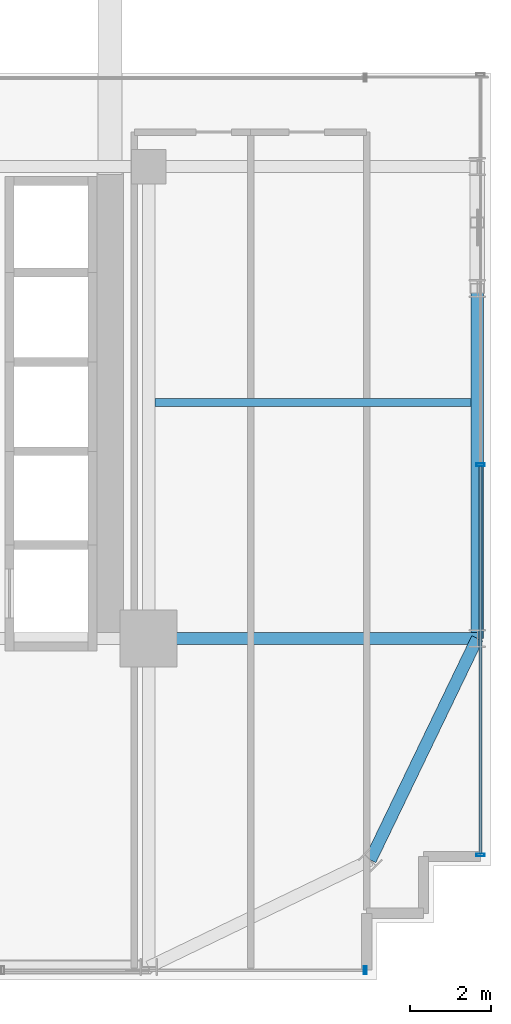
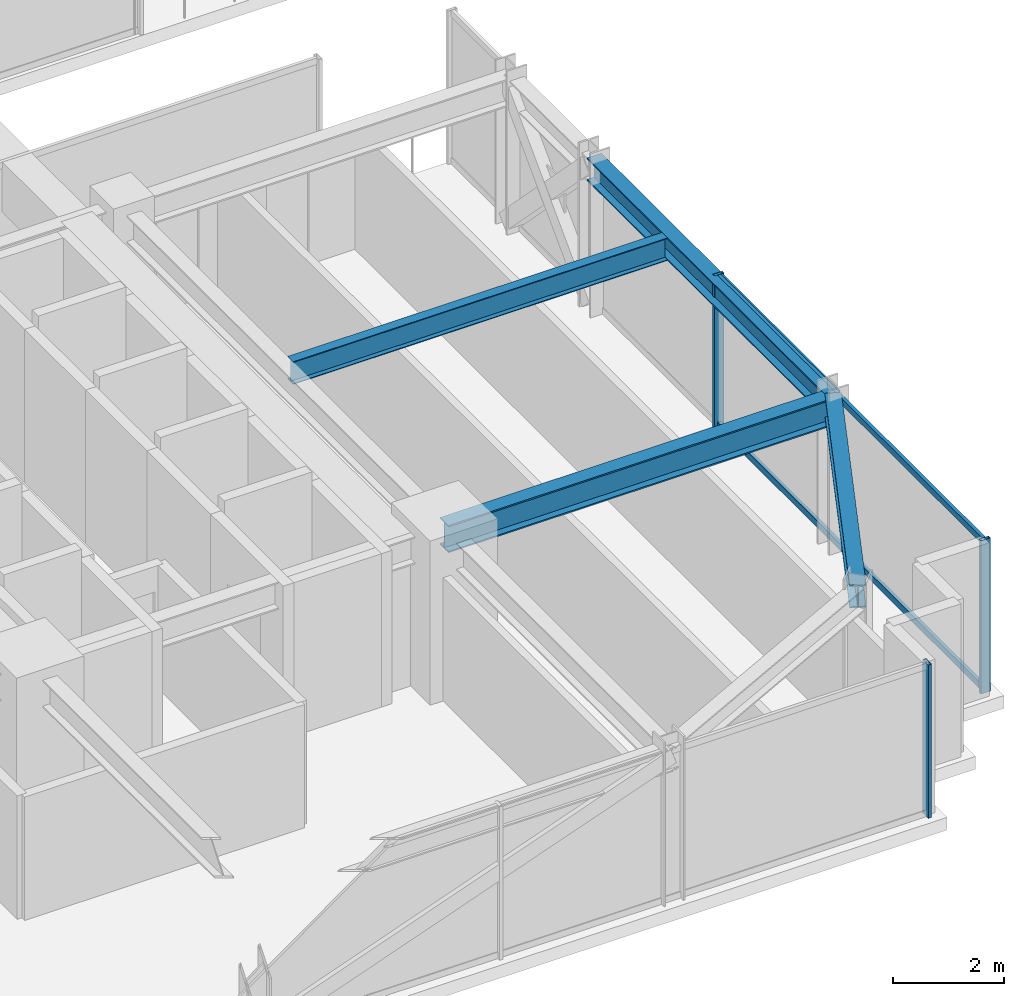
# One storey, part 17 of 42: 5 members, 4 beams, 2 elements without a shape of their own.
"""IFC4 building model written with IfcOpenShell, lengths in metres."""

import ifcopenshell
import ifcopenshell.guid

model = None  # the IFC model being written
_history = None  # IfcOwnerHistory: only IFC2X3 demands one
_inside = {}  # id of a spatial element -> (the spatial element, [elements in it])
_under = {}  # id of a project, library or spatial element -> (it, [spatial elements below it])
_declared = {}  # id of a project -> (the project, [libraries it declares])
_typed = {}  # id of a type object -> (the type object, [elements of that type])
_made_of = {}  # id of a material, layer set ... -> (it, [elements and type objects made of it])


def new_model(schema):
    """Start an empty IFC model of exactly this schema.

    Asked for "IFC4X3", IfcOpenShell would pick the latest addendum, in which some entities
    have other attributes; the version numbers below select the first issue.
    IFC2X3 requires an IfcOwnerHistory on every rooted entity: one is made here for all.
    """
    global model, _history
    if schema == "IFC4X3":
        model = ifcopenshell.file(schema_version=(4, 3, 0, 0))
    else:
        model = ifcopenshell.file(schema=schema)
    _inside.clear()
    _under.clear()
    _declared.clear()
    _typed.clear()
    _made_of.clear()
    _history = None
    if model.schema == "IFC2X3":
        org = make("IfcOrganization", Name="unknown")
        user = make(
            "IfcPersonAndOrganization",
            ThePerson=make("IfcPerson", FamilyName="unknown"),
            TheOrganization=org,
        )
        app = make(
            "IfcApplication",
            ApplicationDeveloper=org,
            Version="unknown",
            ApplicationFullName="unknown",
            ApplicationIdentifier="unknown",
        )
        _history = make(
            "IfcOwnerHistory",
            OwningUser=user,
            OwningApplication=app,
            ChangeAction="ADDED",
            CreationDate=0,
        )
    return model


def make(cls, **values):
    """One entity of the class cls with the attributes given. An attribute that is None is left unset."""
    return model.create_entity(
        cls, **{name: value for name, value in values.items() if value is not None}
    )


def rooted(cls, **values):
    """An entity with a GlobalId (a new one), such as an element, a storey or a relation."""
    return make(cls, GlobalId=ifcopenshell.guid.new(), OwnerHistory=_history, **values)


def si_unit(unit_type, name, prefix=None):
    """IfcSIUnit, for example si_unit("LENGTHUNIT", "METRE", prefix="MILLI")."""
    return make("IfcSIUnit", UnitType=unit_type, Prefix=prefix, Name=name)


def assignment(units):
    """IfcUnitAssignment: the units of a project."""
    return None if units is None else make("IfcUnitAssignment", Units=units)


def point(xyz):
    """IfcCartesianPoint."""
    return None if xyz is None else make("IfcCartesianPoint", Coordinates=xyz)


def direction(xyz):
    """IfcDirection."""
    return None if xyz is None else make("IfcDirection", DirectionRatios=xyz)


def frame(location, z_axis=None, x_axis=None):
    """IfcAxis2Placement3D, a coordinate frame: its origin and axes. An axis left out is left unset."""
    return make(
        "IfcAxis2Placement3D",
        Location=point(location),
        Axis=direction(z_axis),
        RefDirection=direction(x_axis),
    )


def frame_2d(location, x_axis=None):
    """IfcAxis2Placement2D, a coordinate frame in the plane: its origin and x axis."""
    return make(
        "IfcAxis2Placement2D", Location=point(location), RefDirection=direction(x_axis)
    )


def origin():
    """The frame at (0, 0, 0) with its axes left unset."""
    return frame((0.0, 0.0, 0.0))


def origin_2d():
    """The frame at (0, 0) in the plane with its x axis left unset."""
    return frame_2d((0.0, 0.0))


def place(relative_to, where):
    """IfcLocalPlacement: puts the frame where relative to a parent placement (None: the world)."""
    return make(
        "IfcLocalPlacement", PlacementRelTo=relative_to, RelativePlacement=where
    )


def context(
    kind, dimensions, precision=None, world=None, true_north=None, identifier=None
):
    """IfcGeometricRepresentationContext, for example the 3D "Model" context."""
    return make(
        "IfcGeometricRepresentationContext",
        ContextIdentifier=identifier,
        ContextType=kind,
        CoordinateSpaceDimension=dimensions,
        Precision=precision,
        WorldCoordinateSystem=world,
        TrueNorth=true_north,
    )


def subcontext(parent, identifier, kind, view, scale=None):
    """IfcGeometricRepresentationSubContext, for example "Body" below "Model"."""
    return make(
        "IfcGeometricRepresentationSubContext",
        ContextIdentifier=identifier,
        ContextType=kind,
        ParentContext=parent,
        TargetScale=scale,
        TargetView=view,
    )


def project(units=None, contexts=None):
    """IfcProject with its units and contexts."""
    return rooted(
        "IfcProject",
        Name="project",
        RepresentationContexts=contexts,
        UnitsInContext=assignment(units),
    )


def spatial(cls, under=None, at=None, **own):
    """A site, building, storey or space (cls), placed at a placement, below another one or the project."""
    s = rooted(cls, ObjectPlacement=at, **own)
    if under is not None:
        _under.setdefault(under.id(), (under, []))[1].append(s)
    return s


def profile(cls, at=None, kind="AREA", **sizes):
    """A parametric profile (cls). Its sizes go by their IFC names, for example OverallWidth=200.0."""
    return make(cls, ProfileType=kind, Position=at, **sizes)


def hollow_rectangle(**sizes):
    """IfcRectangleHollowProfileDef."""
    return profile("IfcRectangleHollowProfileDef", **sizes)


def i_section(**sizes):
    """IfcIShapeProfileDef."""
    return profile("IfcIShapeProfileDef", **sizes)


def extrude(swept, where, along, depth):
    """IfcExtrudedAreaSolid: the profile swept, set in the frame where, extruded along a direction by depth."""
    return make(
        "IfcExtrudedAreaSolid",
        SweptArea=swept,
        Position=where,
        ExtrudedDirection=direction(along),
        Depth=depth,
    )


def shape(context_of_items, identifier, shape_type, items):
    """IfcShapeRepresentation: the items that make up one representation, for example the "Body"."""
    return make(
        "IfcShapeRepresentation",
        ContextOfItems=context_of_items,
        RepresentationIdentifier=identifier,
        RepresentationType=shape_type,
        Items=items,
    )


def source(mapping_origin, context_of_items, identifier, shape_type, items):
    """IfcRepresentationMap: a shape defined once, which mapped items show again and again."""
    return make(
        "IfcRepresentationMap",
        MappingOrigin=mapping_origin,
        MappedRepresentation=shape(context_of_items, identifier, shape_type, items),
    )


def transform(
    local_origin,
    x_axis=None,
    y_axis=None,
    z_axis=None,
    scale=None,
    scale2=None,
    scale3=None,
    uniform=True,
):
    """IfcCartesianTransformationOperator3D, or its non-uniform kind. x_axis, y_axis, z_axis: its Axis1, 2, 3."""
    if uniform:
        return make(
            "IfcCartesianTransformationOperator3D",
            Axis1=direction(x_axis),
            Axis2=direction(y_axis),
            LocalOrigin=point(local_origin),
            Scale=scale,
            Axis3=direction(z_axis),
        )
    return make(
        "IfcCartesianTransformationOperator3DnonUniform",
        Axis1=direction(x_axis),
        Axis2=direction(y_axis),
        LocalOrigin=point(local_origin),
        Scale=scale,
        Axis3=direction(z_axis),
        Scale2=scale2,
        Scale3=scale3,
    )


def mapped(mapping_source, mapping_target):
    """IfcMappedItem: shows the shape of a source again, moved by a transform."""
    return make(
        "IfcMappedItem", MappingSource=mapping_source, MappingTarget=mapping_target
    )


def material(Name=None, Category=None):
    """IfcMaterial."""
    return make("IfcMaterial", Name=Name, Category=Category)


def material_profile(
    of_material, cross_section, Name=None, Category=None, Priority=None
):
    """IfcMaterialProfile: a cross section and its material."""
    return make(
        "IfcMaterialProfile",
        Name=Name,
        Material=of_material,
        Profile=cross_section,
        Priority=Priority,
        Category=Category,
    )


def profile_set(profiles, Name=None, composite=None):
    """IfcMaterialProfileSet."""
    return make(
        "IfcMaterialProfileSet",
        Name=Name,
        MaterialProfiles=profiles,
        CompositeProfile=composite,
    )


def made_of(thing, what):
    """Note that an element or type object is made of a material, layer set ...; save() writes the relation."""
    if what is not None:
        _made_of.setdefault(what.id(), (what, []))[1].append(thing)
    return thing


def type_object(cls, material=None, **own):
    """A type object (cls), such as IfcWallType, which elements share."""
    return made_of(rooted(cls, **own), material)


def element(
    cls,
    number,
    at=None,
    inside=None,
    cuts=None,
    type_object=None,
    material=None,
    context=None,
    identifier="Body",
    shape_type=None,
    held_by="IfcProductDefinitionShape",
    body=None,
    shapes=None,
    **own,
):
    """One element of the class cls, such as IfcWall. Its Tag is "e" and its number.

    at: its placement. inside: the storey or other place that contains it. cuts: it is an
    opening in that element (IfcRelVoidsElement). A single representation is given by context,
    identifier, shape_type and body (its items); several are given by shapes. held_by: the class
    of the entity that holds the representations. save() writes the other relations.
    """
    e = rooted(cls, Tag="e%d" % number, ObjectPlacement=at, **own)
    if body is not None:
        shapes = [shape(context, identifier, shape_type, body)]
    if shapes is not None:
        e.Representation = make(held_by, Representations=shapes)
    if inside is not None:
        _inside.setdefault(inside.id(), (inside, []))[1].append(e)
    if cuts is not None:
        rooted(
            "IfcRelVoidsElement", RelatingBuildingElement=cuts, RelatedOpeningElement=e
        )
    if type_object is not None:
        _typed.setdefault(type_object.id(), (type_object, []))[1].append(e)
    return made_of(e, material)


def aggregate(whole, parts):
    """IfcRelAggregates: a whole, such as a stair, and the parts it consists of."""
    return rooted("IfcRelAggregates", RelatingObject=whole, RelatedObjects=parts)


def save(model, path):
    """Write the relations noted so far, then the file.

    IfcRelAggregates (storeys below a building ...), IfcRelContainedInSpatialStructure (elements
    in a storey), IfcRelDefinesByType, IfcRelAssociatesMaterial and IfcRelDeclares: one each for
    every whole, place, type object, material and project.
    """
    for whole, parts in _under.values():
        aggregate(whole, parts)
    for where, things in _inside.values():
        rooted(
            "IfcRelContainedInSpatialStructure",
            RelatedElements=things,
            RelatingStructure=where,
        )
    for kind, things in _typed.values():
        rooted("IfcRelDefinesByType", RelatedObjects=things, RelatingType=kind)
    for what, things in _made_of.values():
        rooted("IfcRelAssociatesMaterial", RelatedObjects=things, RelatingMaterial=what)
    for by, libraries in _declared.values():
        rooted("IfcRelDeclares", RelatingContext=by, RelatedDefinitions=libraries)
    model.write(path)


model = new_model("IFC4")

# Units and contexts
model_context = context("Model", 3, precision=1e-05, world=origin(), true_north=direction((0.0, 1.0)))
body_context = subcontext(model_context, "Body", "Model", "MODEL_VIEW")
ifc_project = project(units=[si_unit("LENGTHUNIT", "METRE"), si_unit("AREAUNIT", "SQUARE_METRE"), si_unit("VOLUMEUNIT", "CUBIC_METRE"), si_unit("PLANEANGLEUNIT", "RADIAN"), si_unit("MASSUNIT", "GRAM", prefix="KILO")], contexts=[model_context])

# Site, building, storey
site_placement = place(None, origin())
site = spatial("IfcSite", under=ifc_project, at=site_placement, CompositionType="ELEMENT")
building_placement = place(site_placement, origin())
building = spatial("IfcBuilding", under=site, at=building_placement, Name="Nahalor Promenade Grand Hotel", CompositionType="ELEMENT")
storey_placement = place(building_placement, frame((0.0, 0.0, 61.60009765625)))
storey = spatial("IfcBuildingStorey", under=building, at=storey_placement, Name="L14", CompositionType="ELEMENT", Elevation=61.60009765625)

# Beams
ifc_material_1 = material(Name="Steel S355JR", Category="steel")
ifc_material_profile_1 = material_profile(ifc_material_1, i_section(OverallWidth=0.3, OverallDepth=0.5, WebThickness=0.0145, FlangeThickness=0.028, at=origin_2d()), Name="HEB 500")
ifc_profile_set_1 = profile_set([ifc_material_profile_1], Name="Steel S355JR")
beam_type_1 = type_object("IfcBeamType", Name="Beam-Spandrel-HEB500", PredefinedType="SPANDREL", material=ifc_profile_set_1)
shared_shape_1 = source(origin(), body_context, "Body", "SweptSolid", [
    extrude(i_section(OverallWidth=0.3, OverallDepth=0.5, WebThickness=0.0145, FlangeThickness=0.028, at=origin_2d()), origin(), (0.0, 0.0, 1.0), 8.60009765625),
])
beam_1_placement = place(storey_placement, frame((25.080078125, -17.0, 3.119873046875), z_axis=(0.0, 1.0, 0.0), x_axis=(-1.0, 0.0, 0.0)))
element("IfcBeam", 1, at=beam_1_placement, inside=storey, type_object=beam_type_1, Name="BM-L14-SP-E-0", PredefinedType="SPANDREL", context=body_context, shape_type="MappedRepresentation", body=[
    mapped(shared_shape_1, transform((0.0, 0.0, 0.0), scale=1.0)),
])
ifc_material_profile_2 = material_profile(ifc_material_1, i_section(OverallWidth=0.3, OverallDepth=0.6, WebThickness=0.0155, FlangeThickness=0.03, at=origin_2d()), Name="HEB 600")
ifc_profile_set_2 = profile_set([ifc_material_profile_2], Name="Steel S355JR")
beam_type_2 = type_object("IfcBeamType", Name="Beam-Girder-HEB600", PredefinedType="BEAM", material=ifc_profile_set_2)
shared_shape_2 = source(origin(), body_context, "Body", "SweptSolid", [
    extrude(i_section(OverallWidth=0.3, OverallDepth=0.6, WebThickness=0.0155, FlangeThickness=0.03, at=origin_2d()), origin(), (0.0, 0.0, 1.0), 8.080078125),
])
beam_2_placement = place(storey_placement, frame((17.0, -17.0, 3.06982421875), z_axis=(1.0, 0.0, 0.0), x_axis=(0.0, 1.0, 0.0)))
element("IfcBeam", 2, at=beam_2_placement, inside=storey, type_object=beam_type_2, Name="BM-L14-GX-0-6", PredefinedType="BEAM", context=body_context, shape_type="MappedRepresentation", body=[
    mapped(shared_shape_2, transform((0.0, 0.0, 0.0), scale=1.0)),
])
shared_shape_3 = source(origin(), body_context, "Body", "SweptSolid", [
    extrude(i_section(OverallWidth=0.3, OverallDepth=0.5, WebThickness=0.0145, FlangeThickness=0.028, at=origin_2d()), origin(), (0.0, 0.0, 1.0), 6.051513671875),
])
beam_3_placement = place(storey_placement, frame((22.449951171875, -22.449951171875, 3.119873046875), z_axis=(0.434630596492, 0.900608818852, 0.0), x_axis=(-0.900608818852, 0.434630596492, 0.0)))
element("IfcBeam", 3, at=beam_3_placement, inside=storey, type_object=beam_type_1, Name="BM-L14-SPC-SE-2", PredefinedType="SPANDREL", context=body_context, shape_type="MappedRepresentation", body=[
    mapped(shared_shape_3, transform((0.0, 0.0, 0.0), scale=1.0)),
])
ifc_material_profile_3 = material_profile(ifc_material_1, i_section(OverallWidth=0.2, OverallDepth=0.5, WebThickness=0.0102, FlangeThickness=0.016, at=origin_2d()), Name="IPE 500")
ifc_profile_set_3 = profile_set([ifc_material_profile_3], Name="Steel S355JR")
beam_type_3 = type_object("IfcBeamType", Name="Beam-Joist-IPE500", PredefinedType="JOIST", material=ifc_profile_set_3)
shared_shape_4 = source(origin(), body_context, "Body", "SweptSolid", [
    extrude(i_section(OverallWidth=0.2, OverallDepth=0.5, WebThickness=0.0102, FlangeThickness=0.016, at=origin_2d()), origin(), (0.0, 0.0, 1.0), 7.780029296875),
])
beam_4_placement = place(storey_placement, frame((17.14990234375, -11.199951171875, 3.119873046875), z_axis=(1.0, 0.0, 0.0), x_axis=(0.0, 1.0, 0.0)))
element("IfcBeam", 4, at=beam_4_placement, inside=storey, type_object=beam_type_3, Name="BM-L14-JSE-0-2", PredefinedType="JOIST", context=body_context, shape_type="MappedRepresentation", body=[
    mapped(shared_shape_4, transform((0.0, 0.0, 0.0), scale=1.0)),
])

# Curtain wall, member
ifc_material_2 = material(Name="Anodised Bronze Aluminium EN AW-6063 T6", Category="aluminium")
curtain_wall_type = type_object("IfcCurtainWallType", Name="CW3 Elliptical-Void Collar Unitised Curtain Wall", PredefinedType="USERDEFINED", material=ifc_material_2)
curtain_wall_1_placement = place(storey_placement, origin())
curtain_wall_1 = element("IfcCurtainWall", 5, at=curtain_wall_1_placement, inside=storey, type_object=curtain_wall_type, Name="L14 Curtain Wall CW-L14-S-1", ObjectType="UNITISED_CURTAIN_WALL", PredefinedType="USERDEFINED")
ifc_material_profile_4 = material_profile(ifc_material_2, hollow_rectangle(XDim=0.07, YDim=0.2, WallThickness=0.005, at=origin_2d()), Name="CWM 70x200x5")
ifc_profile_set_4 = profile_set([ifc_material_profile_4], Name="Anodised Bronze Aluminium EN AW-6063 T6")
member_type_1 = type_object("IfcMemberType", Name="CWM3 Void Collar Mullion 70x200", PredefinedType="MULLION", material=ifc_profile_set_4)
shared_shape_5 = source(origin(), body_context, "Body", "SweptSolid", [
    extrude(hollow_rectangle(XDim=0.07, YDim=0.2, WallThickness=0.005, at=origin_2d()), origin(), (0.0, 0.0, 1.0), 3.369873046875),
])
member_1_placement = place(storey_placement, frame((22.324951171875, -25.159912109375, 0.0), z_axis=(0.0, 0.0, 1.0), x_axis=(1.0, 0.0, 0.0)))
member_1 = element("IfcMember", 6, at=member_1_placement, type_object=member_type_1, Name="CW-L14-S-1 Mullion 5", PredefinedType="MULLION", context=body_context, shape_type="MappedRepresentation", body=[
    mapped(shared_shape_5, transform((0.0, 0.0, 0.0), scale=1.0)),
])
aggregate(curtain_wall_1, [member_1])

# Curtain wall, members
curtain_wall_2_placement = place(storey_placement, origin())
curtain_wall_2 = element("IfcCurtainWall", 7, at=curtain_wall_2_placement, inside=storey, type_object=curtain_wall_type, Name="L14 Curtain Wall CW-L14-E-1", ObjectType="UNITISED_CURTAIN_WALL", PredefinedType="USERDEFINED")
member_2_placement = place(storey_placement, frame((25.159912109375, -22.324951171875, 0.0), z_axis=(0.0, 0.0, 1.0), x_axis=(0.0, 1.0, 0.0)))
member_2 = element("IfcMember", 8, at=member_2_placement, type_object=member_type_1, Name="CW-L14-E-1 Mullion 0", PredefinedType="MULLION", context=body_context, shape_type="MappedRepresentation", body=[
    mapped(shared_shape_5, transform((0.0, 0.0, 0.0), scale=1.0)),
])
member_3_placement = place(storey_placement, frame((25.159912109375, -12.72998046875, 0.0), z_axis=(0.0, 0.0, 1.0), x_axis=(0.0, 1.0, 0.0)))
member_3 = element("IfcMember", 9, at=member_3_placement, type_object=member_type_1, Name="CW-L14-E-1 Mullion 1", PredefinedType="MULLION", context=body_context, shape_type="MappedRepresentation", body=[
    mapped(shared_shape_5, transform((0.0, 0.0, 0.0), scale=1.0)),
])
ifc_material_profile_5 = material_profile(ifc_material_2, hollow_rectangle(XDim=0.07, YDim=0.14, WallThickness=0.004, at=origin_2d()), Name="CWT 70x140x4")
ifc_profile_set_5 = profile_set([ifc_material_profile_5], Name="Anodised Bronze Aluminium EN AW-6063 T6")
member_type_2 = type_object("IfcMemberType", Name="CWT3 Void Collar Transom 70x140", PredefinedType="USERDEFINED", material=ifc_profile_set_5)
shared_shape_6 = source(origin(), body_context, "Body", "SweptSolid", [
    extrude(hollow_rectangle(XDim=0.07, YDim=0.14, WallThickness=0.004, at=origin_2d()), origin(), (0.0, 0.0, 1.0), 9.525146484375),
])
member_4_placement = place(storey_placement, frame((25.159912109375, -22.2900390625, 0.06982421875), z_axis=(0.0, 1.0, 0.0), x_axis=(-1.0, 0.0, 0.0)))
member_4 = element("IfcMember", 10, at=member_4_placement, type_object=member_type_2, Name="CW-L14-E-1 Transom 0-0", ObjectType="TRANSOM", PredefinedType="USERDEFINED", context=body_context, shape_type="MappedRepresentation", body=[
    mapped(shared_shape_6, transform((0.0, 0.0, 0.0), scale=1.0)),
])
member_5_placement = place(storey_placement, frame((25.159912109375, -22.2900390625, 3.2998046875), z_axis=(0.0, 1.0, 0.0), x_axis=(-1.0, 0.0, 0.0)))
member_5 = element("IfcMember", 11, at=member_5_placement, type_object=member_type_2, Name="CW-L14-E-1 Transom 0-1", ObjectType="TRANSOM", PredefinedType="USERDEFINED", context=body_context, shape_type="MappedRepresentation", body=[
    mapped(shared_shape_6, transform((0.0, 0.0, 0.0), scale=1.0)),
])
aggregate(curtain_wall_2, [member_2, member_3, member_4, member_5])

save(model, "model.ifc")
